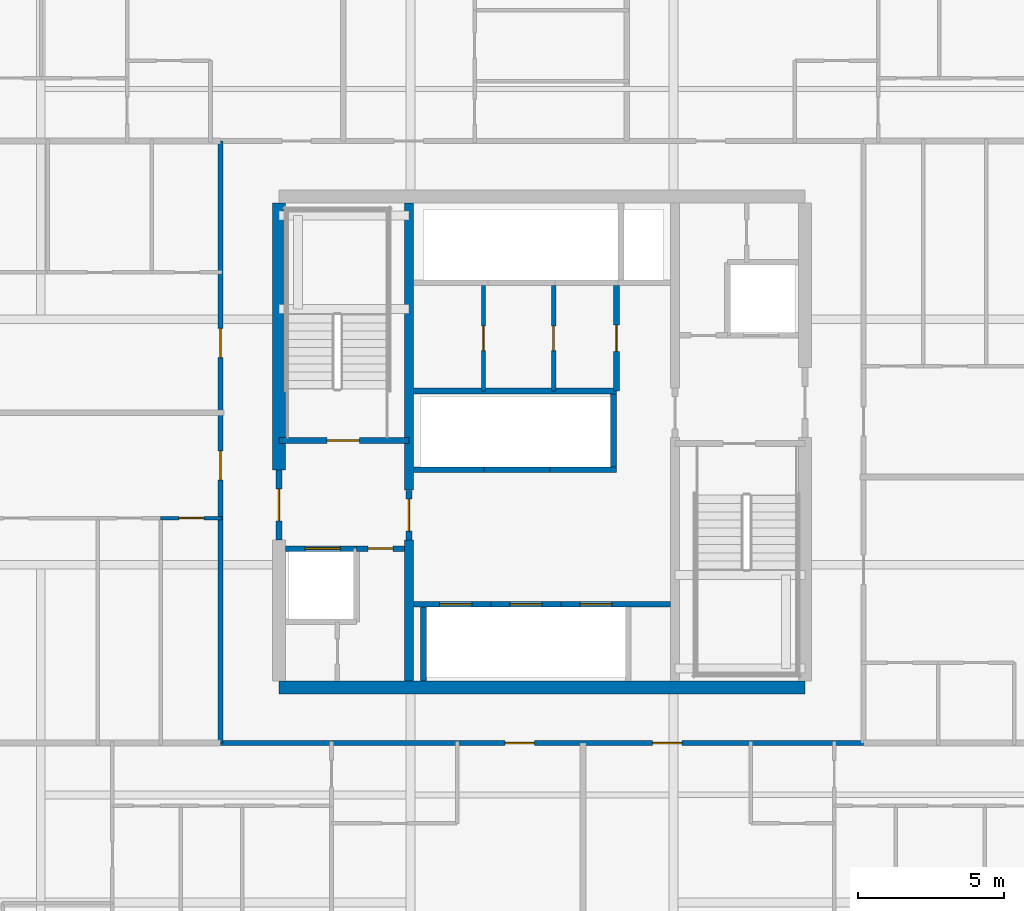
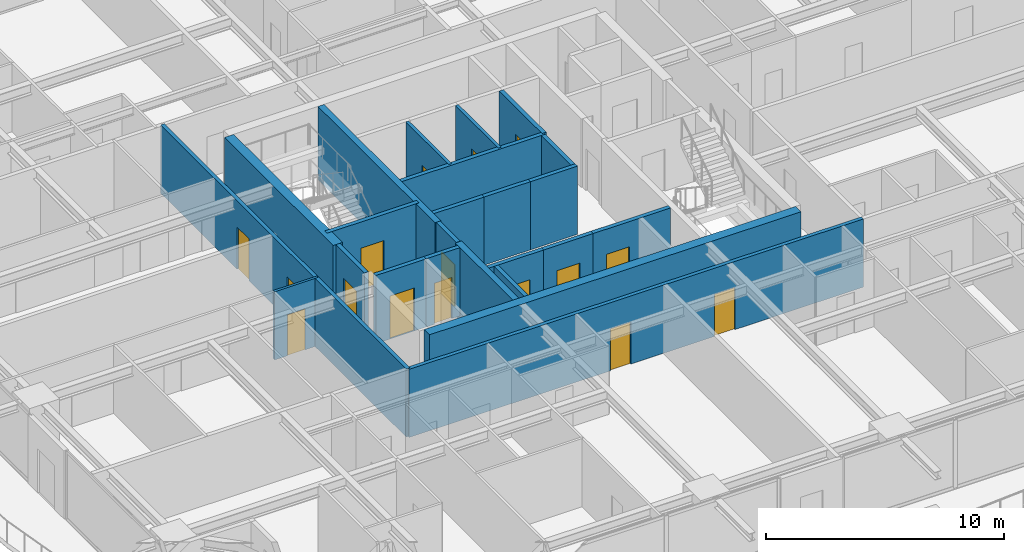
# One storey, part 27 of 39: 24 walls, 16 doors, 16 openings.
"""IFC4 building model written with IfcOpenShell, lengths in metres."""

import ifcopenshell
import ifcopenshell.guid

model = None  # the IFC model being written
_history = None  # IfcOwnerHistory: only IFC2X3 demands one
_inside = {}  # id of a spatial element -> (the spatial element, [elements in it])
_under = {}  # id of a project, library or spatial element -> (it, [spatial elements below it])
_declared = {}  # id of a project -> (the project, [libraries it declares])
_typed = {}  # id of a type object -> (the type object, [elements of that type])
_made_of = {}  # id of a material, layer set ... -> (it, [elements and type objects made of it])


def new_model(schema):
    """Start an empty IFC model of exactly this schema.

    Asked for "IFC4X3", IfcOpenShell would pick the latest addendum, in which some entities
    have other attributes; the version numbers below select the first issue.
    IFC2X3 requires an IfcOwnerHistory on every rooted entity: one is made here for all.
    """
    global model, _history
    if schema == "IFC4X3":
        model = ifcopenshell.file(schema_version=(4, 3, 0, 0))
    else:
        model = ifcopenshell.file(schema=schema)
    _inside.clear()
    _under.clear()
    _declared.clear()
    _typed.clear()
    _made_of.clear()
    _history = None
    if model.schema == "IFC2X3":
        org = make("IfcOrganization", Name="unknown")
        user = make(
            "IfcPersonAndOrganization",
            ThePerson=make("IfcPerson", FamilyName="unknown"),
            TheOrganization=org,
        )
        app = make(
            "IfcApplication",
            ApplicationDeveloper=org,
            Version="unknown",
            ApplicationFullName="unknown",
            ApplicationIdentifier="unknown",
        )
        _history = make(
            "IfcOwnerHistory",
            OwningUser=user,
            OwningApplication=app,
            ChangeAction="ADDED",
            CreationDate=0,
        )
    return model


def make(cls, **values):
    """One entity of the class cls with the attributes given. An attribute that is None is left unset."""
    return model.create_entity(
        cls, **{name: value for name, value in values.items() if value is not None}
    )


def rooted(cls, **values):
    """An entity with a GlobalId (a new one), such as an element, a storey or a relation."""
    return make(cls, GlobalId=ifcopenshell.guid.new(), OwnerHistory=_history, **values)


def si_unit(unit_type, name, prefix=None):
    """IfcSIUnit, for example si_unit("LENGTHUNIT", "METRE", prefix="MILLI")."""
    return make("IfcSIUnit", UnitType=unit_type, Prefix=prefix, Name=name)


def assignment(units):
    """IfcUnitAssignment: the units of a project."""
    return None if units is None else make("IfcUnitAssignment", Units=units)


def point(xyz):
    """IfcCartesianPoint."""
    return None if xyz is None else make("IfcCartesianPoint", Coordinates=xyz)


def direction(xyz):
    """IfcDirection."""
    return None if xyz is None else make("IfcDirection", DirectionRatios=xyz)


def frame(location, z_axis=None, x_axis=None):
    """IfcAxis2Placement3D, a coordinate frame: its origin and axes. An axis left out is left unset."""
    return make(
        "IfcAxis2Placement3D",
        Location=point(location),
        Axis=direction(z_axis),
        RefDirection=direction(x_axis),
    )


def frame_2d(location, x_axis=None):
    """IfcAxis2Placement2D, a coordinate frame in the plane: its origin and x axis."""
    return make(
        "IfcAxis2Placement2D", Location=point(location), RefDirection=direction(x_axis)
    )


def origin():
    """The frame at (0, 0, 0) with its axes left unset."""
    return frame((0.0, 0.0, 0.0))


def place(relative_to, where):
    """IfcLocalPlacement: puts the frame where relative to a parent placement (None: the world)."""
    return make(
        "IfcLocalPlacement", PlacementRelTo=relative_to, RelativePlacement=where
    )


def context(
    kind, dimensions, precision=None, world=None, true_north=None, identifier=None
):
    """IfcGeometricRepresentationContext, for example the 3D "Model" context."""
    return make(
        "IfcGeometricRepresentationContext",
        ContextIdentifier=identifier,
        ContextType=kind,
        CoordinateSpaceDimension=dimensions,
        Precision=precision,
        WorldCoordinateSystem=world,
        TrueNorth=true_north,
    )


def subcontext(parent, identifier, kind, view, scale=None):
    """IfcGeometricRepresentationSubContext, for example "Body" below "Model"."""
    return make(
        "IfcGeometricRepresentationSubContext",
        ContextIdentifier=identifier,
        ContextType=kind,
        ParentContext=parent,
        TargetScale=scale,
        TargetView=view,
    )


def project(units=None, contexts=None):
    """IfcProject with its units and contexts."""
    return rooted(
        "IfcProject",
        Name="project",
        RepresentationContexts=contexts,
        UnitsInContext=assignment(units),
    )


def spatial(cls, under=None, at=None, **own):
    """A site, building, storey or space (cls), placed at a placement, below another one or the project."""
    s = rooted(cls, ObjectPlacement=at, **own)
    if under is not None:
        _under.setdefault(under.id(), (under, []))[1].append(s)
    return s


def profile(cls, at=None, kind="AREA", **sizes):
    """A parametric profile (cls). Its sizes go by their IFC names, for example OverallWidth=200.0."""
    return make(cls, ProfileType=kind, Position=at, **sizes)


def rectangle(**sizes):
    """IfcRectangleProfileDef."""
    return profile("IfcRectangleProfileDef", **sizes)


def extrude(swept, where, along, depth):
    """IfcExtrudedAreaSolid: the profile swept, set in the frame where, extruded along a direction by depth."""
    return make(
        "IfcExtrudedAreaSolid",
        SweptArea=swept,
        Position=where,
        ExtrudedDirection=direction(along),
        Depth=depth,
    )


def shape(context_of_items, identifier, shape_type, items):
    """IfcShapeRepresentation: the items that make up one representation, for example the "Body"."""
    return make(
        "IfcShapeRepresentation",
        ContextOfItems=context_of_items,
        RepresentationIdentifier=identifier,
        RepresentationType=shape_type,
        Items=items,
    )


def source(mapping_origin, context_of_items, identifier, shape_type, items):
    """IfcRepresentationMap: a shape defined once, which mapped items show again and again."""
    return make(
        "IfcRepresentationMap",
        MappingOrigin=mapping_origin,
        MappedRepresentation=shape(context_of_items, identifier, shape_type, items),
    )


def transform(
    local_origin,
    x_axis=None,
    y_axis=None,
    z_axis=None,
    scale=None,
    scale2=None,
    scale3=None,
    uniform=True,
):
    """IfcCartesianTransformationOperator3D, or its non-uniform kind. x_axis, y_axis, z_axis: its Axis1, 2, 3."""
    if uniform:
        return make(
            "IfcCartesianTransformationOperator3D",
            Axis1=direction(x_axis),
            Axis2=direction(y_axis),
            LocalOrigin=point(local_origin),
            Scale=scale,
            Axis3=direction(z_axis),
        )
    return make(
        "IfcCartesianTransformationOperator3DnonUniform",
        Axis1=direction(x_axis),
        Axis2=direction(y_axis),
        LocalOrigin=point(local_origin),
        Scale=scale,
        Axis3=direction(z_axis),
        Scale2=scale2,
        Scale3=scale3,
    )


def mapped(mapping_source, mapping_target):
    """IfcMappedItem: shows the shape of a source again, moved by a transform."""
    return make(
        "IfcMappedItem", MappingSource=mapping_source, MappingTarget=mapping_target
    )


def material(Name=None, Category=None):
    """IfcMaterial."""
    return make("IfcMaterial", Name=Name, Category=Category)


def layer(
    of_material, thickness, ventilated=None, Name=None, Category=None, Priority=None
):
    """IfcMaterialLayer: one layer of a wall or slab, of a material (None: an air gap)."""
    return make(
        "IfcMaterialLayer",
        Material=of_material,
        LayerThickness=thickness,
        IsVentilated=ventilated,
        Name=Name,
        Category=Category,
        Priority=Priority,
    )


def layer_set(layers, Name=None):
    """IfcMaterialLayerSet."""
    return make("IfcMaterialLayerSet", MaterialLayers=layers, LayerSetName=Name)


def made_of(thing, what):
    """Note that an element or type object is made of a material, layer set ...; save() writes the relation."""
    if what is not None:
        _made_of.setdefault(what.id(), (what, []))[1].append(thing)
    return thing


def type_object(cls, material=None, **own):
    """A type object (cls), such as IfcWallType, which elements share."""
    return made_of(rooted(cls, **own), material)


def element(
    cls,
    number,
    at=None,
    inside=None,
    cuts=None,
    type_object=None,
    material=None,
    context=None,
    identifier="Body",
    shape_type=None,
    held_by="IfcProductDefinitionShape",
    body=None,
    shapes=None,
    **own,
):
    """One element of the class cls, such as IfcWall. Its Tag is "e" and its number.

    at: its placement. inside: the storey or other place that contains it. cuts: it is an
    opening in that element (IfcRelVoidsElement). A single representation is given by context,
    identifier, shape_type and body (its items); several are given by shapes. held_by: the class
    of the entity that holds the representations. save() writes the other relations.
    """
    e = rooted(cls, Tag="e%d" % number, ObjectPlacement=at, **own)
    if body is not None:
        shapes = [shape(context, identifier, shape_type, body)]
    if shapes is not None:
        e.Representation = make(held_by, Representations=shapes)
    if inside is not None:
        _inside.setdefault(inside.id(), (inside, []))[1].append(e)
    if cuts is not None:
        rooted(
            "IfcRelVoidsElement", RelatingBuildingElement=cuts, RelatedOpeningElement=e
        )
    if type_object is not None:
        _typed.setdefault(type_object.id(), (type_object, []))[1].append(e)
    return made_of(e, material)


def fill(opening, filler):
    """IfcRelFillsElement: the door or window that sits in an opening."""
    return rooted(
        "IfcRelFillsElement",
        RelatingOpeningElement=opening,
        RelatedBuildingElement=filler,
    )


def aggregate(whole, parts):
    """IfcRelAggregates: a whole, such as a stair, and the parts it consists of."""
    return rooted("IfcRelAggregates", RelatingObject=whole, RelatedObjects=parts)


def save(model, path):
    """Write the relations noted so far, then the file.

    IfcRelAggregates (storeys below a building ...), IfcRelContainedInSpatialStructure (elements
    in a storey), IfcRelDefinesByType, IfcRelAssociatesMaterial and IfcRelDeclares: one each for
    every whole, place, type object, material and project.
    """
    for whole, parts in _under.values():
        aggregate(whole, parts)
    for where, things in _inside.values():
        rooted(
            "IfcRelContainedInSpatialStructure",
            RelatedElements=things,
            RelatingStructure=where,
        )
    for kind, things in _typed.values():
        rooted("IfcRelDefinesByType", RelatedObjects=things, RelatingType=kind)
    for what, things in _made_of.values():
        rooted("IfcRelAssociatesMaterial", RelatedObjects=things, RelatingMaterial=what)
    for by, libraries in _declared.values():
        rooted("IfcRelDeclares", RelatingContext=by, RelatedDefinitions=libraries)
    model.write(path)


model = new_model("IFC4")

# Units and contexts
model_context = context("Model", 3, precision=1e-05, world=origin(), true_north=direction((0.0, 1.0)))
body_context = subcontext(model_context, "Body", "Model", "MODEL_VIEW")
ifc_project = project(units=[si_unit("LENGTHUNIT", "METRE"), si_unit("AREAUNIT", "SQUARE_METRE"), si_unit("VOLUMEUNIT", "CUBIC_METRE"), si_unit("PLANEANGLEUNIT", "RADIAN"), si_unit("MASSUNIT", "GRAM", prefix="KILO")], contexts=[model_context])

# Site, building, storey
site_placement = place(None, origin())
site = spatial("IfcSite", under=ifc_project, at=site_placement, CompositionType="ELEMENT")
building_placement = place(site_placement, origin())
building = spatial("IfcBuilding", under=site, at=building_placement, Name="Serunith Strait Residences", CompositionType="ELEMENT")
storey_placement = place(building_placement, frame((0.0, 0.0, 60.449951171875)))
storey = spatial("IfcBuildingStorey", under=building, at=storey_placement, Name="L14", CompositionType="ELEMENT", Elevation=60.449951171875)

# Wall, opening, door
ifc_material_1 = material(Name="Fire-rated masonry service closet wall", Category="masonry")
ifc_layer_1 = layer(ifc_material_1, 0.14990234375, Name="Fire-rated masonry service closet wall")
ifc_layer_set_1 = layer_set([ifc_layer_1], Name="Fire-rated masonry service closet wall")
wall_type_1 = type_object("IfcWallType", Name="IW-BOH-150", PredefinedType="PARTITIONING", material=ifc_layer_set_1)
wall_1_placement = place(storey_placement, frame((32.800048828125, 26.949951171875, 0.0), z_axis=(0.0, 0.0, 1.0), x_axis=(0.0, 1.0, 0.0)))
wall_1 = element("IfcWall", 1, at=wall_1_placement, inside=storey, type_object=wall_type_1, Name="L14 Partition Wall 015", PredefinedType="PARTITIONING", context=body_context, shape_type="SweptSolid", body=[
    extrude(rectangle(XDim=3.60009765625, YDim=0.14990234375, at=frame_2d((1.800048828125, 0.0))), origin(), (0.0, 0.0, 1.0), 3.489990234375),
])
opening_1_placement = place(wall_1_placement, frame((1.375, 0.0, 0.0)))
opening_1 = element("IfcOpeningElement", 2, at=opening_1_placement, cuts=wall_1, Name="Opening FD-850", PredefinedType="OPENING", context=body_context, shape_type="SweptSolid", body=[
    extrude(rectangle(XDim=0.85009765625, YDim=2.10009765625, at=frame_2d((0.425048828125, 1.050048828125))), frame((0.0, 0.0849609375, 0.0), z_axis=(0.0, -1.0, 0.0), x_axis=(1.0, 0.0, 0.0)), (0.0, 0.0, 1.0), 0.169921875),
])
ifc_material_2 = material(Name="Powder-coated steel service closet door", Category="steel")
door_type_1 = type_object("IfcDoorType", Name="FD-BOH-850", OperationType="NOTDEFINED", PredefinedType="DOOR", material=ifc_material_2)
shared_shape_1 = source(origin(), body_context, "Body", "SweptSolid", [
    extrude(rectangle(XDim=0.85009765625, YDim=2.10009765625, at=frame_2d((0.425048828125, 1.050048828125))), frame((0.0, 0.02490234375, 0.0), z_axis=(0.0, -1.0, 0.0), x_axis=(1.0, 0.0, 0.0)), (0.0, 0.0, 1.0), 0.050048828125),
])
door_1_placement = place(opening_1_placement, origin())
door_1 = element("IfcDoor", 3, at=door_1_placement, inside=storey, type_object=door_type_1, Name="L14 Linen Store Door", OperationType="SINGLE_SWING_RIGHT", OverallHeight=2.10009765625, OverallWidth=0.85009765625, PredefinedType="DOOR", context=body_context, shape_type="MappedRepresentation", body=[
    mapped(shared_shape_1, transform((0.0, 0.0, 0.0), scale=1.0)),
])
fill(opening_1, door_1)

wall_2_placement = place(storey_placement, frame((30.39990234375, 26.949951171875, 0.0), z_axis=(0.0, 0.0, 1.0), x_axis=(0.0, 1.0, 0.0)))
wall_2 = element("IfcWall", 4, at=wall_2_placement, inside=storey, type_object=wall_type_1, Name="L14 Partition Wall 016", PredefinedType="PARTITIONING", context=body_context, shape_type="SweptSolid", body=[
    extrude(rectangle(XDim=3.60009765625, YDim=0.14990234375, at=frame_2d((1.800048828125, 0.0))), origin(), (0.0, 0.0, 1.0), 3.489990234375),
])
opening_2_placement = place(wall_2_placement, frame((1.375, 0.0, 0.0)))
opening_2 = element("IfcOpeningElement", 5, at=opening_2_placement, cuts=wall_2, Name="Opening FD-850", PredefinedType="OPENING", context=body_context, shape_type="SweptSolid", body=[
    extrude(rectangle(XDim=0.85009765625, YDim=2.10009765625, at=frame_2d((0.425048828125, 1.050048828125))), frame((0.0, 0.0849609375, 0.0), z_axis=(0.0, -1.0, 0.0), x_axis=(1.0, 0.0, 0.0)), (0.0, 0.0, 1.0), 0.169921875),
])
door_2_placement = place(opening_2_placement, origin())
door_2 = element("IfcDoor", 6, at=door_2_placement, inside=storey, type_object=door_type_1, Name="L14 Housekeeping Supply Door", OperationType="SINGLE_SWING_LEFT", OverallHeight=2.10009765625, OverallWidth=0.85009765625, PredefinedType="DOOR", context=body_context, shape_type="MappedRepresentation", body=[
    mapped(shared_shape_1, transform((0.0, 0.0, 0.0), scale=1.0)),
])
fill(opening_2, door_2)

# Wall, openings, doors
ifc_material_3 = material(Name="Fire-rated acoustic gypsum partition")
ifc_layer_2 = layer(ifc_material_3, 0.179931640625, Name="Fire-rated acoustic gypsum partition")
ifc_layer_set_2 = layer_set([ifc_layer_2], Name="Fire-rated acoustic gypsum partition")
wall_type_2 = type_object("IfcWallType", Name="IW-CORR-180", PredefinedType="PARTITIONING", material=ifc_layer_set_2)
wall_3_placement = place(storey_placement, frame((21.402099609375, 14.89990234375, 0.0), z_axis=(0.0, 0.0, 1.0), x_axis=(1.0, 0.0, 0.0)))
wall_3 = element("IfcWall", 7, at=wall_3_placement, inside=storey, type_object=wall_type_2, Name="L14 Partition Wall 026", PredefinedType="PARTITIONING", context=body_context, shape_type="SweptSolid", body=[
    extrude(rectangle(XDim=21.995849609375, YDim=0.179931640625, at=frame_2d((10.998046875, 0.0))), origin(), (0.0, 0.0, 1.0), 3.489990234375),
])
opening_3_placement = place(wall_3_placement, frame((9.741943359375, 0.0, 0.0)))
opening_3 = element("IfcOpeningElement", 8, at=opening_3_placement, cuts=wall_3, Name="Opening D-APT1000", PredefinedType="OPENING", context=body_context, shape_type="SweptSolid", body=[
    extrude(rectangle(XDim=1.0, YDim=2.14990234375, at=frame_2d((0.5, 1.074951171875))), frame((0.0, 0.10009765625, 0.0), z_axis=(0.0, -1.0, 0.0), x_axis=(1.0, 0.0, 0.0)), (0.0, 0.0, 1.0), 0.199951171875),
])
opening_4_placement = place(wall_3_placement, frame((14.781005859375, 0.0, 0.0)))
opening_4 = element("IfcOpeningElement", 9, at=opening_4_placement, cuts=wall_3, Name="Opening D-APT1000", PredefinedType="OPENING", context=body_context, shape_type="SweptSolid", body=[
    extrude(rectangle(XDim=1.0, YDim=2.14990234375, at=frame_2d((0.5, 1.074951171875))), frame((0.0, 0.10009765625, 0.0), z_axis=(0.0, -1.0, 0.0), x_axis=(1.0, 0.0, 0.0)), (0.0, 0.0, 1.0), 0.199951171875),
])
ifc_material_4 = material(Name="Solid timber engineered fire door", Category="wood")
door_type_2 = type_object("IfcDoorType", Name="ID-APT-1000", OperationType="NOTDEFINED", PredefinedType="DOOR", material=ifc_material_4)
shared_shape_2 = source(origin(), body_context, "Body", "SweptSolid", [
    extrude(rectangle(XDim=1.0, YDim=2.14990234375, at=frame_2d((0.5, 1.074951171875))), frame((0.0, 0.02490234375, 0.0), z_axis=(0.0, -1.0, 0.0), x_axis=(1.0, 0.0, 0.0)), (0.0, 0.0, 1.0), 0.050048828125),
])
door_3_placement = place(opening_3_placement, origin())
door_3 = element("IfcDoor", 10, at=door_3_placement, inside=storey, type_object=door_type_2, Name="L14 Unit 01 Entrance Door", OperationType="SINGLE_SWING_RIGHT", OverallHeight=2.14990234375, OverallWidth=1.0, PredefinedType="DOOR", context=body_context, shape_type="MappedRepresentation", body=[
    mapped(shared_shape_2, transform((0.0, 0.0, 0.0), scale=1.0)),
])
fill(opening_3, door_3)
door_4_placement = place(opening_4_placement, origin())
door_4 = element("IfcDoor", 11, at=door_4_placement, inside=storey, type_object=door_type_2, Name="L14 Unit 02 Entrance Door", OperationType="SINGLE_SWING_LEFT", OverallHeight=2.14990234375, OverallWidth=1.0, PredefinedType="DOOR", context=body_context, shape_type="MappedRepresentation", body=[
    mapped(shared_shape_2, transform((0.0, 0.0, 0.0), scale=1.0)),
])
fill(opening_4, door_4)

wall_4_placement = place(storey_placement, frame((21.39990234375, 14.89990234375, 0.0), z_axis=(0.0, 0.0, 1.0), x_axis=(0.0, 1.0, 0.0)))
wall_4 = element("IfcWall", 12, at=wall_4_placement, inside=storey, type_object=wall_type_2, Name="L14 Partition Wall 028", PredefinedType="PARTITIONING", context=body_context, shape_type="SweptSolid", body=[
    extrude(rectangle(XDim=20.60009765625, YDim=0.179931640625, at=frame_2d((10.300048828125, 0.0))), origin(), (0.0, 0.0, 1.0), 3.489990234375),
])
opening_5_placement = place(wall_4_placement, frame((8.99609375, 0.0, 0.0)))
opening_5 = element("IfcOpeningElement", 13, at=opening_5_placement, cuts=wall_4, Name="Opening D-APT1000", PredefinedType="OPENING", context=body_context, shape_type="SweptSolid", body=[
    extrude(rectangle(XDim=1.0, YDim=2.14990234375, at=frame_2d((0.5, 1.074951171875))), frame((0.0, 0.10009765625, 0.0), z_axis=(0.0, -1.0, 0.0), x_axis=(1.0, 0.0, 0.0)), (0.0, 0.0, 1.0), 0.199951171875),
])
opening_6_placement = place(wall_4_placement, frame((13.19091796875, 0.0, 0.0)))
opening_6 = element("IfcOpeningElement", 14, at=opening_6_placement, cuts=wall_4, Name="Opening D-APT1000", PredefinedType="OPENING", context=body_context, shape_type="SweptSolid", body=[
    extrude(rectangle(XDim=1.0, YDim=2.14990234375, at=frame_2d((0.5, 1.074951171875))), frame((0.0, 0.10009765625, 0.0), z_axis=(0.0, -1.0, 0.0), x_axis=(1.0, 0.0, 0.0)), (0.0, 0.0, 1.0), 0.199951171875),
])
door_5_placement = place(opening_5_placement, origin())
door_5 = element("IfcDoor", 15, at=door_5_placement, inside=storey, type_object=door_type_2, Name="L14 Unit 06 Entrance Door", OperationType="SINGLE_SWING_LEFT", OverallHeight=2.14990234375, OverallWidth=1.0, PredefinedType="DOOR", context=body_context, shape_type="MappedRepresentation", body=[
    mapped(shared_shape_2, transform((0.0, 0.0, 0.0), scale=1.0)),
])
fill(opening_5, door_5)
door_6_placement = place(opening_6_placement, origin())
door_6 = element("IfcDoor", 16, at=door_6_placement, inside=storey, type_object=door_type_2, Name="L14 Unit 07 Entrance Door", OperationType="SINGLE_SWING_RIGHT", OverallHeight=2.14990234375, OverallWidth=1.0, PredefinedType="DOOR", context=body_context, shape_type="MappedRepresentation", body=[
    mapped(shared_shape_2, transform((0.0, 0.0, 0.0), scale=1.0)),
])
fill(opening_6, door_6)

# Wall, opening, door
ifc_material_5 = material(Name="Lightweight steel-stud gypsum partition", Category="steel")
ifc_layer_3 = layer(ifc_material_5, 0.1201171875, Name="Lightweight steel-stud gypsum partition")
ifc_layer_set_3 = layer_set([ifc_layer_3], Name="Lightweight steel-stud gypsum partition")
wall_type_3 = type_object("IfcWallType", Name="IW-PART-120", PredefinedType="PARTITIONING", material=ifc_layer_set_3)
wall_5_placement = place(storey_placement, frame((19.35205078125, 22.60009765625, 0.0), z_axis=(0.0, 0.0, 1.0), x_axis=(1.0, 0.0, 0.0)))
wall_5 = element("IfcWall", 17, at=wall_5_placement, inside=storey, type_object=wall_type_3, Name="L14 Partition Wall 108", PredefinedType="PARTITIONING", context=body_context, shape_type="SweptSolid", body=[
    extrude(rectangle(XDim=2.10791015625, YDim=0.1201171875, at=frame_2d((1.053955078125, 0.0))), origin(), (0.0, 0.0, 1.0), 3.489990234375),
])
opening_7_placement = place(wall_5_placement, frame((0.62890625, 0.0, 0.0)))
opening_7 = element("IfcOpeningElement", 18, at=opening_7_placement, cuts=wall_5, Name="Opening D-BTH850", PredefinedType="OPENING", context=body_context, shape_type="SweptSolid", body=[
    extrude(rectangle(XDim=0.85009765625, YDim=2.10009765625, at=frame_2d((0.425048828125, 1.050048828125))), frame((0.0, 0.070068359375, 0.0), z_axis=(0.0, -1.0, 0.0), x_axis=(1.0, 0.0, 0.0)), (0.0, 0.0, 1.0), 0.14013671875),
])
ifc_material_6 = material(Name="Moisture-resistant timber bathroom door", Category="wood")
door_type_3 = type_object("IfcDoorType", Name="ID-BATH-850", OperationType="NOTDEFINED", PredefinedType="DOOR", material=ifc_material_6)
door_7_placement = place(opening_7_placement, origin())
door_7 = element("IfcDoor", 19, at=door_7_placement, inside=storey, type_object=door_type_3, Name="L14 Bathroom 1406 Door", OperationType="SINGLE_SWING_RIGHT", OverallHeight=2.10009765625, OverallWidth=0.85009765625, PredefinedType="DOOR", context=body_context, shape_type="MappedRepresentation", body=[
    mapped(shared_shape_1, transform((0.0, 0.0, 0.0), scale=1.0)),
])
fill(opening_7, door_7)

ifc_material_7 = material(Name="Autoclaved aerated concrete blockwork", Category="masonry")
ifc_layer_4 = layer(ifc_material_7, 0.199951171875, Name="Autoclaved aerated concrete blockwork")
ifc_layer_set_4 = layer_set([ifc_layer_4], Name="Autoclaved aerated concrete blockwork")
wall_type_4 = type_object("IfcWallType", Name="IW-SHAFT-200", PredefinedType="STANDARD", material=ifc_layer_set_4)
wall_6_placement = place(storey_placement, frame((23.39990234375, 25.25, 0.0), z_axis=(0.0, 0.0, 1.0), x_axis=(1.0, 0.0, 0.0)))
wall_6 = element("IfcWall", 20, at=wall_6_placement, inside=storey, type_object=wall_type_4, Name="L14 ST-1 South Shaft Wall", PredefinedType="STANDARD", context=body_context, shape_type="SweptSolid", body=[
    extrude(rectangle(XDim=4.4501953125, YDim=0.199951171875, at=frame_2d((2.22509765625, 0.0))), origin(), (0.0, 0.0, 1.0), 3.489990234375),
])
opening_8_placement = place(wall_6_placement, frame((1.64990234375, 0.0, 0.0)))
opening_8 = element("IfcOpeningElement", 21, at=opening_8_placement, cuts=wall_6, Name="Opening FD-1100", PredefinedType="OPENING", context=body_context, shape_type="SweptSolid", body=[
    extrude(rectangle(XDim=1.10009765625, YDim=2.14990234375, at=frame_2d((0.550048828125, 1.074951171875))), frame((0.0, 0.10986328125, 0.0), z_axis=(0.0, -1.0, 0.0), x_axis=(1.0, 0.0, 0.0)), (0.0, 0.0, 1.0), 0.219970703125),
])
ifc_material_8 = material(Name="Galvanised steel fire door leaf", Category="steel")
door_type_4 = type_object("IfcDoorType", Name="FD-STAIR-1100", OperationType="NOTDEFINED", PredefinedType="DOOR", material=ifc_material_8)
shared_shape_3 = source(origin(), body_context, "Body", "SweptSolid", [
    extrude(rectangle(XDim=1.10009765625, YDim=2.14990234375, at=frame_2d((0.550048828125, 1.074951171875))), frame((0.0, 0.02490234375, 0.0), z_axis=(0.0, -1.0, 0.0), x_axis=(1.0, 0.0, 0.0)), (0.0, 0.0, 1.0), 0.050048828125),
])
door_8_placement = place(opening_8_placement, origin())
door_8 = element("IfcDoor", 22, at=door_8_placement, inside=storey, type_object=door_type_4, Name="L14 ST-1 Escape Stair Door", OperationType="SINGLE_SWING_RIGHT", OverallHeight=2.14990234375, OverallWidth=1.10009765625, PredefinedType="DOOR", context=body_context, shape_type="MappedRepresentation", body=[
    mapped(shared_shape_3, transform((0.0, 0.0, 0.0), scale=1.0)),
])
fill(opening_8, door_8)

wall_7_placement = place(storey_placement, frame((23.625, 21.550048828125, 0.0), z_axis=(0.0, 0.0, 1.0), x_axis=(1.0, 0.0, 0.0)))
wall_7 = element("IfcWall", 23, at=wall_7_placement, inside=storey, type_object=wall_type_4, Name="L14 FL-1 North Shaft Wall", PredefinedType="STANDARD", context=body_context, shape_type="SweptSolid", body=[
    extrude(rectangle(XDim=2.425048828125, YDim=0.199951171875, at=frame_2d((1.21240234375, 0.0))), origin(), (0.0, 0.0, 1.0), 3.489990234375),
])
opening_9_placement = place(wall_7_placement, frame((0.675048828125, 0.0, 0.0)))
opening_9 = element("IfcOpeningElement", 24, at=opening_9_placement, cuts=wall_7, Name="Opening LD-FF1200", PredefinedType="OPENING", context=body_context, shape_type="SweptSolid", body=[
    extrude(rectangle(XDim=1.199951171875, YDim=2.199951171875, at=frame_2d((0.60009765625, 1.10009765625))), frame((0.0, 0.10986328125, 0.0), z_axis=(0.0, -1.0, 0.0), x_axis=(1.0, 0.0, 0.0)), (0.0, 0.0, 1.0), 0.219970703125),
])
ifc_material_9 = material(Name="Brushed stainless steel landing door", Category="steel")
door_type_5 = type_object("IfcDoorType", Name="LD-FF-1200", OperationType="DOUBLE_DOOR_SLIDING", PredefinedType="DOOR", material=ifc_material_9)
shared_shape_4 = source(origin(), body_context, "Body", "SweptSolid", [
    extrude(rectangle(XDim=1.199951171875, YDim=2.199951171875, at=frame_2d((0.60009765625, 1.10009765625))), frame((0.0, 0.02490234375, 0.0), z_axis=(0.0, -1.0, 0.0), x_axis=(1.0, 0.0, 0.0)), (0.0, 0.0, 1.0), 0.050048828125),
])
door_9_placement = place(opening_9_placement, origin())
door_9 = element("IfcDoor", 25, at=door_9_placement, inside=storey, type_object=door_type_5, Name="L14 FL-1 Landing Door", OperationType="DOUBLE_DOOR_SLIDING", OverallHeight=2.199951171875, OverallWidth=1.199951171875, PredefinedType="DOOR", context=body_context, shape_type="MappedRepresentation", body=[
    mapped(shared_shape_4, transform((0.0, 0.0, 0.0), scale=1.0)),
])
fill(opening_9, door_9)

wall_8_placement = place(storey_placement, frame((28.0, 19.64990234375, 0.0), z_axis=(0.0, 0.0, 1.0), x_axis=(1.0, 0.0, 0.0)))
wall_8 = element("IfcWall", 26, at=wall_8_placement, inside=storey, type_object=wall_type_4, Name="L14 PL-1 North Shaft Wall", PredefinedType="STANDARD", context=body_context, shape_type="SweptSolid", body=[
    extrude(rectangle(XDim=2.64990234375, YDim=0.199951171875, at=frame_2d((1.324951171875, 0.0))), origin(), (0.0, 0.0, 1.0), 3.489990234375),
])
opening_10_placement = place(wall_8_placement, frame((0.89990234375, 0.0, 0.0)))
opening_10 = element("IfcOpeningElement", 27, at=opening_10_placement, cuts=wall_8, Name="Opening LD-1100", PredefinedType="OPENING", context=body_context, shape_type="SweptSolid", body=[
    extrude(rectangle(XDim=1.10009765625, YDim=2.199951171875, at=frame_2d((0.550048828125, 1.10009765625))), frame((0.0, 0.10986328125, 0.0), z_axis=(0.0, -1.0, 0.0), x_axis=(1.0, 0.0, 0.0)), (0.0, 0.0, 1.0), 0.219970703125),
])
ifc_material_10 = material(Name="Pale-champagne stainless landing door")
door_type_6 = type_object("IfcDoorType", Name="LD-LIFT-1100", OperationType="DOUBLE_DOOR_SLIDING", PredefinedType="DOOR", material=ifc_material_10)
shared_shape_5 = source(origin(), body_context, "Body", "SweptSolid", [
    extrude(rectangle(XDim=1.10009765625, YDim=2.199951171875, at=frame_2d((0.550048828125, 1.10009765625))), frame((0.0, 0.02490234375, 0.0), z_axis=(0.0, -1.0, 0.0), x_axis=(1.0, 0.0, 0.0)), (0.0, 0.0, 1.0), 0.050048828125),
])
door_10_placement = place(opening_10_placement, origin())
door_10 = element("IfcDoor", 28, at=door_10_placement, inside=storey, type_object=door_type_6, Name="L14 PL-1 Landing Door", OperationType="DOUBLE_DOOR_SLIDING", OverallHeight=2.199951171875, OverallWidth=1.10009765625, PredefinedType="DOOR", context=body_context, shape_type="MappedRepresentation", body=[
    mapped(shared_shape_5, transform((0.0, 0.0, 0.0), scale=1.0)),
])
fill(opening_10, door_10)

# Wall
wall_9_placement = place(storey_placement, frame((28.35009765625, 17.02490234375, 0.0), z_axis=(0.0, 0.0, 1.0), x_axis=(0.0, 1.0, 0.0)))
element("IfcWall", 29, at=wall_9_placement, inside=storey, type_object=wall_type_4, Name="L14 PL-1 West Shaft Wall", PredefinedType="STANDARD", context=body_context, shape_type="SweptSolid", body=[
    extrude(rectangle(XDim=2.525146484375, YDim=0.199951171875, at=frame_2d((1.2626953125, 0.0))), origin(), (0.0, 0.0, 1.0), 3.489990234375),
])

# Wall, opening, door
wall_10_placement = place(storey_placement, frame((30.64990234375, 19.64990234375, 0.0), z_axis=(0.0, 0.0, 1.0), x_axis=(1.0, 0.0, 0.0)))
wall_10 = element("IfcWall", 30, at=wall_10_placement, inside=storey, type_object=wall_type_4, Name="L14 PL-2 North Shaft Wall", PredefinedType="STANDARD", context=body_context, shape_type="SweptSolid", body=[
    extrude(rectangle(XDim=2.400146484375, YDim=0.199951171875, at=frame_2d((1.2001953125, 0.0))), origin(), (0.0, 0.0, 1.0), 3.489990234375),
])
opening_11_placement = place(wall_10_placement, frame((0.64990234375, 0.0, 0.0)))
opening_11 = element("IfcOpeningElement", 31, at=opening_11_placement, cuts=wall_10, Name="Opening LD-1100", PredefinedType="OPENING", context=body_context, shape_type="SweptSolid", body=[
    extrude(rectangle(XDim=1.10009765625, YDim=2.199951171875, at=frame_2d((0.550048828125, 1.10009765625))), frame((0.0, 0.10986328125, 0.0), z_axis=(0.0, -1.0, 0.0), x_axis=(1.0, 0.0, 0.0)), (0.0, 0.0, 1.0), 0.219970703125),
])
door_11_placement = place(opening_11_placement, origin())
door_11 = element("IfcDoor", 32, at=door_11_placement, inside=storey, type_object=door_type_6, Name="L14 PL-2 Landing Door", OperationType="DOUBLE_DOOR_SLIDING", OverallHeight=2.199951171875, OverallWidth=1.10009765625, PredefinedType="DOOR", context=body_context, shape_type="MappedRepresentation", body=[
    mapped(shared_shape_5, transform((0.0, 0.0, 0.0), scale=1.0)),
])
fill(opening_11, door_11)

wall_11_placement = place(storey_placement, frame((33.050048828125, 19.64990234375, 0.0), z_axis=(0.0, 0.0, 1.0), x_axis=(1.0, 0.0, 0.0)))
wall_11 = element("IfcWall", 33, at=wall_11_placement, inside=storey, type_object=wall_type_4, Name="L14 PL-3 North Shaft Wall", PredefinedType="STANDARD", context=body_context, shape_type="SweptSolid", body=[
    extrude(rectangle(XDim=3.75, YDim=0.199951171875, at=frame_2d((1.875, 0.0))), origin(), (0.0, 0.0, 1.0), 3.489990234375),
])
opening_12_placement = place(wall_11_placement, frame((0.64990234375, 0.0, 0.0)))
opening_12 = element("IfcOpeningElement", 34, at=opening_12_placement, cuts=wall_11, Name="Opening LD-1100", PredefinedType="OPENING", context=body_context, shape_type="SweptSolid", body=[
    extrude(rectangle(XDim=1.10009765625, YDim=2.199951171875, at=frame_2d((0.550048828125, 1.10009765625))), frame((0.0, 0.10986328125, 0.0), z_axis=(0.0, -1.0, 0.0), x_axis=(1.0, 0.0, 0.0)), (0.0, 0.0, 1.0), 0.219970703125),
])
door_12_placement = place(opening_12_placement, origin())
door_12 = element("IfcDoor", 35, at=door_12_placement, inside=storey, type_object=door_type_6, Name="L14 PL-3 Landing Door", OperationType="DOUBLE_DOOR_SLIDING", OverallHeight=2.199951171875, OverallWidth=1.10009765625, PredefinedType="DOOR", context=body_context, shape_type="MappedRepresentation", body=[
    mapped(shared_shape_5, transform((0.0, 0.0, 0.0), scale=1.0)),
])
fill(opening_12, door_12)

# Walls
wall_12_placement = place(storey_placement, frame((28.0, 24.25, 0.0), z_axis=(0.0, 0.0, 1.0), x_axis=(1.0, 0.0, 0.0)))
element("IfcWall", 36, at=wall_12_placement, inside=storey, type_object=wall_type_4, Name="L14 PL-4 South Shaft Wall", PredefinedType="STANDARD", context=body_context, shape_type="SweptSolid", body=[
    extrude(rectangle(XDim=2.425048828125, YDim=0.199951171875, at=frame_2d((1.21240234375, 0.0))), origin(), (0.0, 0.0, 1.0), 3.489990234375),
])
wall_13_placement = place(storey_placement, frame((30.425048828125, 24.25, 0.0), z_axis=(0.0, 0.0, 1.0), x_axis=(1.0, 0.0, 0.0)))
element("IfcWall", 37, at=wall_13_placement, inside=storey, type_object=wall_type_4, Name="L14 PL-5 South Shaft Wall", PredefinedType="STANDARD", context=body_context, shape_type="SweptSolid", body=[
    extrude(rectangle(XDim=2.25, YDim=0.199951171875, at=frame_2d((1.125, 0.0))), origin(), (0.0, 0.0, 1.0), 3.489990234375),
])
wall_14_placement = place(storey_placement, frame((32.675048828125, 24.25, 0.0), z_axis=(0.0, 0.0, 1.0), x_axis=(1.0, 0.0, 0.0)))
element("IfcWall", 38, at=wall_14_placement, inside=storey, type_object=wall_type_4, Name="L14 PL-6 South Shaft Wall", PredefinedType="STANDARD", context=body_context, shape_type="SweptSolid", body=[
    extrude(rectangle(XDim=2.27490234375, YDim=0.199951171875, at=frame_2d((1.137451171875, 0.0))), origin(), (0.0, 0.0, 1.0), 3.489990234375),
])
wall_15_placement = place(storey_placement, frame((34.85009765625, 24.35009765625, 0.0), z_axis=(0.0, 0.0, 1.0), x_axis=(0.0, 1.0, 0.0)))
element("IfcWall", 39, at=wall_15_placement, inside=storey, type_object=wall_type_4, Name="L14 PL-6 East Shaft Wall", PredefinedType="STANDARD", context=body_context, shape_type="SweptSolid", body=[
    extrude(rectangle(XDim=2.5, YDim=0.199951171875, at=frame_2d((1.25, 0.0))), origin(), (0.0, 0.0, 1.0), 3.489990234375),
])

# Wall, opening, door
wall_16_placement = place(storey_placement, frame((26.052001953125, 21.550048828125, 0.0), z_axis=(0.0, 0.0, 1.0), x_axis=(1.0, 0.0, 0.0)))
wall_16 = element("IfcWall", 40, at=wall_16_placement, inside=storey, type_object=wall_type_4, Name="L14 Partition Wall 003", PredefinedType="STANDARD", context=body_context, shape_type="SweptSolid", body=[
    extrude(rectangle(XDim=1.64794921875, YDim=0.199951171875, at=frame_2d((0.823974609375, 0.0))), origin(), (0.0, 0.0, 1.0), 3.489990234375),
])
opening_13_placement = place(wall_16_placement, frame((0.39892578125, 0.0, 0.0)))
opening_13 = element("IfcOpeningElement", 41, at=opening_13_placement, cuts=wall_16, Name="Opening FD-850", PredefinedType="OPENING", context=body_context, shape_type="SweptSolid", body=[
    extrude(rectangle(XDim=0.85009765625, YDim=2.10009765625, at=frame_2d((0.425048828125, 1.050048828125))), frame((0.0, 0.10986328125, 0.0), z_axis=(0.0, -1.0, 0.0), x_axis=(1.0, 0.0, 0.0)), (0.0, 0.0, 1.0), 0.219970703125),
])
door_13_placement = place(opening_13_placement, origin())
door_13 = element("IfcDoor", 42, at=door_13_placement, inside=storey, type_object=door_type_1, Name="L14 South-West Core Service Door", OperationType="SINGLE_SWING_LEFT", OverallHeight=2.10009765625, OverallWidth=0.85009765625, PredefinedType="DOOR", context=body_context, shape_type="MappedRepresentation", body=[
    mapped(shared_shape_1, transform((0.0, 0.0, 0.0), scale=1.0)),
])
fill(opening_13, door_13)

wall_17_placement = place(storey_placement, frame((23.39990234375, 21.85205078125, 0.0), z_axis=(0.0, 0.0, 1.0), x_axis=(0.0, 1.0, 0.0)))
wall_17 = element("IfcWall", 43, at=wall_17_placement, inside=storey, type_object=wall_type_4, Name="L14 Partition Wall 007", PredefinedType="STANDARD", context=body_context, shape_type="SweptSolid", body=[
    extrude(rectangle(XDim=2.39599609375, YDim=0.199951171875, at=frame_2d((1.197998046875, 0.0))), origin(), (0.0, 0.0, 1.0), 3.489990234375),
])
opening_14_placement = place(wall_17_placement, frame((0.64794921875, 0.0, 0.0)))
opening_14 = element("IfcOpeningElement", 44, at=opening_14_placement, cuts=wall_17, Name="Opening FD-FFL", PredefinedType="OPENING", context=body_context, shape_type="SweptSolid", body=[
    extrude(rectangle(XDim=1.10009765625, YDim=2.14990234375, at=frame_2d((0.550048828125, 1.074951171875))), frame((0.0, 0.10986328125, 0.0), z_axis=(0.0, -1.0, 0.0), x_axis=(1.0, 0.0, 0.0)), (0.0, 0.0, 1.0), 0.219970703125),
])
ifc_material_11 = material(Name="Glazed steel smoke-lobby fire door", Category="steel")
door_type_7 = type_object("IfcDoorType", Name="FD-FFL-1100", OperationType="NOTDEFINED", PredefinedType="DOOR", material=ifc_material_11)
door_14_placement = place(opening_14_placement, origin())
door_14 = element("IfcDoor", 45, at=door_14_placement, inside=storey, type_object=door_type_7, Name="L14 FFL-1 Corridor Fire Door", OperationType="SINGLE_SWING_LEFT", OverallHeight=2.14990234375, OverallWidth=1.10009765625, PredefinedType="DOOR", context=body_context, shape_type="MappedRepresentation", body=[
    mapped(shared_shape_3, transform((0.0, 0.0, 0.0), scale=1.0)),
])
fill(opening_14, door_14)

wall_18_placement = place(storey_placement, frame((27.85009765625, 21.85205078125, 0.0), z_axis=(0.0, 0.0, 1.0), x_axis=(0.0, 1.0, 0.0)))
wall_18 = element("IfcWall", 46, at=wall_18_placement, inside=storey, type_object=wall_type_4, Name="L14 Partition Wall 009", PredefinedType="STANDARD", context=body_context, shape_type="SweptSolid", body=[
    extrude(rectangle(XDim=1.696044921875, YDim=0.199951171875, at=frame_2d((0.84814453125, 0.0))), origin(), (0.0, 0.0, 1.0), 3.489990234375),
])
opening_15_placement = place(wall_18_placement, frame((0.298095703125, 0.0, 0.0)))
opening_15 = element("IfcOpeningElement", 47, at=opening_15_placement, cuts=wall_18, Name="Opening FD-FFL", PredefinedType="OPENING", context=body_context, shape_type="SweptSolid", body=[
    extrude(rectangle(XDim=1.10009765625, YDim=2.14990234375, at=frame_2d((0.550048828125, 1.074951171875))), frame((0.0, 0.10986328125, 0.0), z_axis=(0.0, -1.0, 0.0), x_axis=(1.0, 0.0, 0.0)), (0.0, 0.0, 1.0), 0.219970703125),
])
door_15_placement = place(opening_15_placement, origin())
door_15 = element("IfcDoor", 48, at=door_15_placement, inside=storey, type_object=door_type_7, Name="L14 FFL-1 Lift Lobby Door", OperationType="SINGLE_SWING_LEFT", OverallHeight=2.14990234375, OverallWidth=1.10009765625, PredefinedType="DOOR", context=body_context, shape_type="MappedRepresentation", body=[
    mapped(shared_shape_3, transform((0.0, 0.0, 0.0), scale=1.0)),
])
fill(opening_15, door_15)

# Wall
wall_19_placement = place(storey_placement, frame((28.0, 26.949951171875, 0.0), z_axis=(0.0, 0.0, 1.0), x_axis=(1.0, 0.0, 0.0)))
element("IfcWall", 49, at=wall_19_placement, inside=storey, type_object=wall_type_4, Name="L14 Partition Wall 011", PredefinedType="STANDARD", context=body_context, shape_type="SweptSolid", body=[
    extrude(rectangle(XDim=6.949951171875, YDim=0.199951171875, at=frame_2d((3.47509765625, 0.0))), origin(), (0.0, 0.0, 1.0), 3.489990234375),
])

# Wall, opening, door
wall_20_placement = place(storey_placement, frame((34.949951171875, 26.949951171875, 0.0), z_axis=(0.0, 0.0, 1.0), x_axis=(0.0, 1.0, 0.0)))
wall_20 = element("IfcWall", 50, at=wall_20_placement, inside=storey, type_object=wall_type_4, Name="L14 Partition Wall 014", PredefinedType="STANDARD", context=body_context, shape_type="SweptSolid", body=[
    extrude(rectangle(XDim=3.60009765625, YDim=0.199951171875, at=frame_2d((1.800048828125, 0.0))), origin(), (0.0, 0.0, 1.0), 3.489990234375),
])
opening_16_placement = place(wall_20_placement, frame((1.35009765625, 0.0, 0.0)))
opening_16 = element("IfcOpeningElement", 51, at=opening_16_placement, cuts=wall_20, Name="Opening FD-900", PredefinedType="OPENING", context=body_context, shape_type="SweptSolid", body=[
    extrude(rectangle(XDim=0.89990234375, YDim=2.10009765625, at=frame_2d((0.449951171875, 1.050048828125))), frame((0.0, 0.10986328125, 0.0), z_axis=(0.0, -1.0, 0.0), x_axis=(1.0, 0.0, 0.0)), (0.0, 0.0, 1.0), 0.219970703125),
])
ifc_material_12 = material(Name="Powder-coated steel riser door", Category="steel")
door_type_8 = type_object("IfcDoorType", Name="FD-BOH-900", OperationType="NOTDEFINED", PredefinedType="DOOR", material=ifc_material_12)
shared_shape_6 = source(origin(), body_context, "Body", "SweptSolid", [
    extrude(rectangle(XDim=0.89990234375, YDim=2.10009765625, at=frame_2d((0.449951171875, 1.050048828125))), frame((0.0, 0.02490234375, 0.0), z_axis=(0.0, -1.0, 0.0), x_axis=(1.0, 0.0, 0.0)), (0.0, 0.0, 1.0), 0.050048828125),
])
door_16_placement = place(opening_16_placement, origin())
door_16 = element("IfcDoor", 52, at=door_16_placement, inside=storey, type_object=door_type_8, Name="L14 Janitorial Store Door", OperationType="SINGLE_SWING_LEFT", OverallHeight=2.10009765625, OverallWidth=0.89990234375, PredefinedType="DOOR", context=body_context, shape_type="MappedRepresentation", body=[
    mapped(shared_shape_6, transform((0.0, 0.0, 0.0), scale=1.0)),
])
fill(opening_16, door_16)

# Walls
ifc_material_13 = material(Name="Concrete C80/95", Category="concrete")
ifc_layer_5 = layer(ifc_material_13, 0.300048828125, Name="Concrete C80/95")
ifc_layer_set_5 = layer_set([ifc_layer_5], Name="Concrete C80/95")
wall_type_5 = type_object("IfcWallType", Name="SW-300-C80", PredefinedType="SHEAR", material=ifc_layer_set_5)
wall_21_placement = place(storey_placement, frame((27.85009765625, 17.02490234375, -0.260009765625), z_axis=(0.0, 0.0, 1.0), x_axis=(0.0, 1.0, 0.0)))
element("IfcWall", 53, at=wall_21_placement, inside=storey, type_object=wall_type_5, Name="L14 Core Internal West Web South Pier", PredefinedType="SHEAR", context=body_context, shape_type="SweptSolid", body=[
    extrude(rectangle(XDim=4.8251953125, YDim=0.300048828125, at=frame_2d((2.41259765625, 0.0))), origin(), (0.0, 0.0, 1.0), 3.748046875),
])
wall_22_placement = place(storey_placement, frame((27.85009765625, 23.550048828125, -0.260009765625), z_axis=(0.0, 0.0, 1.0), x_axis=(0.0, 1.0, 0.0)))
element("IfcWall", 54, at=wall_22_placement, inside=storey, type_object=wall_type_5, Name="L14 Core Internal West Web North Pier", PredefinedType="SHEAR", context=body_context, shape_type="SweptSolid", body=[
    extrude(rectangle(XDim=9.824951171875, YDim=0.300048828125, at=frame_2d((4.91259765625, 0.0))), origin(), (0.0, 0.0, 1.0), 3.748046875),
])
ifc_layer_6 = layer(ifc_material_13, 0.449951171875, Name="Concrete C80/95")
ifc_layer_set_6 = layer_set([ifc_layer_6], Name="Concrete C80/95")
wall_type_6 = type_object("IfcWallType", Name="SW-450-C80", PredefinedType="SHEAR", material=ifc_layer_set_6)
wall_23_placement = place(storey_placement, frame((23.39990234375, 16.800048828125, -0.260009765625), z_axis=(0.0, 0.0, 1.0), x_axis=(1.0, 0.0, 0.0)))
element("IfcWall", 55, at=wall_23_placement, inside=storey, type_object=wall_type_6, Name="L14 Core South Shear Wall", PredefinedType="SHEAR", context=body_context, shape_type="SweptSolid", body=[
    extrude(rectangle(XDim=18.0, YDim=0.449951171875, at=frame_2d((9.0, 0.0))), origin(), (0.0, 0.0, 1.0), 3.748046875),
])
wall_24_placement = place(storey_placement, frame((23.39990234375, 24.25, -0.260009765625), z_axis=(0.0, 0.0, 1.0), x_axis=(0.0, 1.0, 0.0)))
element("IfcWall", 56, at=wall_24_placement, inside=storey, type_object=wall_type_6, Name="L14 Core West Shear Wall North Pier", PredefinedType="SHEAR", context=body_context, shape_type="SweptSolid", body=[
    extrude(rectangle(XDim=9.125, YDim=0.449951171875, at=frame_2d((4.5625, 0.0))), origin(), (0.0, 0.0, 1.0), 3.748046875),
])

save(model, "model.ifc")
